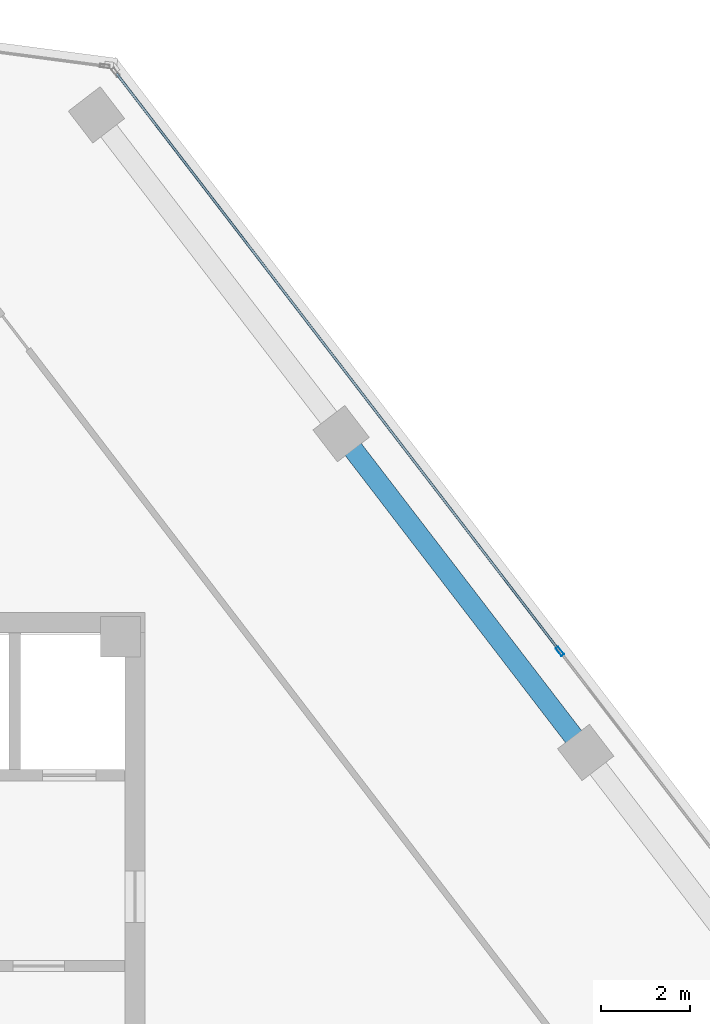
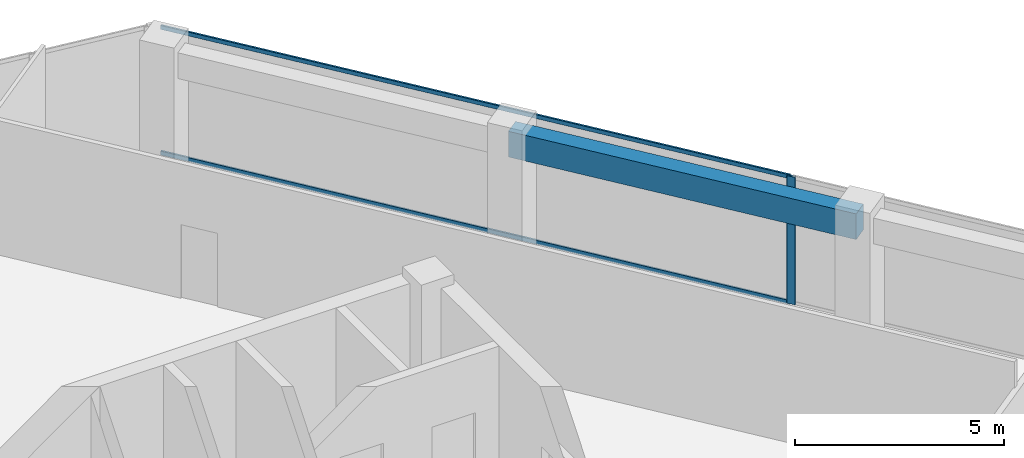
# One storey, part 11 of 17: 3 members, 1 beam, 1 element without a shape of its own.
"""IFC4 building model written with IfcOpenShell, lengths in metres."""

from ifc_helpers import new_model, si_unit, direction, frame, origin, origin_2d, place, context, subcontext, project, spatial, rectangle, hollow_rectangle, extrude, source, transform, mapped, material, material_profile, profile_set, type_object, element, aggregate, save


model = new_model("IFC4")

# Units and contexts
model_context = context("Model", 3, precision=1e-05, world=origin(), true_north=direction((0.0, 1.0)))
body_context = subcontext(model_context, "Body", "Model", "MODEL_VIEW")
ifc_project = project(units=[si_unit("LENGTHUNIT", "METRE"), si_unit("AREAUNIT", "SQUARE_METRE"), si_unit("VOLUMEUNIT", "CUBIC_METRE"), si_unit("PLANEANGLEUNIT", "RADIAN"), si_unit("MASSUNIT", "GRAM", prefix="KILO")], contexts=[model_context])

# Site, building, storey
site_placement = place(None, origin())
site = spatial("IfcSite", under=ifc_project, at=site_placement, CompositionType="ELEMENT")
building_placement = place(site_placement, origin())
building = spatial("IfcBuilding", under=site, at=building_placement, Name="Torre Montelarca", CompositionType="ELEMENT")
storey_placement = place(building_placement, frame((0.0, 0.0, 283.60009765625)))
storey = spatial("IfcBuildingStorey", under=building, at=storey_placement, Name="L64", CompositionType="ELEMENT", Elevation=283.60009765625)

# Beam
ifc_material_1 = material(Name="Concrete C55/67", Category="concrete")
ifc_material_profile_1 = material_profile(ifc_material_1, rectangle(XDim=0.449951171875, YDim=0.75, at=origin_2d()), Name="RCB450X750", Category="concrete")
ifc_profile_set_1 = profile_set([ifc_material_profile_1], Name="Concrete C55/67")
beam_type = type_object("IfcBeamType", Name="BM-SP-RC750-EXT", PredefinedType="SPANDREL", material=ifc_profile_set_1)
shared_shape_1 = source(origin(), body_context, "Body", "SweptSolid", [
    extrude(rectangle(XDim=0.449951171875, YDim=0.75, at=origin_2d()), origin(), (0.0, 0.0, 1.0), 9.0),
])
beam_placement = place(storey_placement, frame((31.388671875, 43.99951171875, 3.544921875), z_axis=(0.608757244327, -0.793356551293, 0.0), x_axis=(0.793356551293, 0.608757244327, 0.0)))
element("IfcBeam", 1, at=beam_placement, inside=storey, type_object=beam_type, Name="L64 Grid Girder X 18.0-27.0 at Y=47.1", PredefinedType="SPANDREL", context=body_context, shape_type="MappedRepresentation", body=[
    mapped(shared_shape_1, transform((0.0, 0.0, 0.0), scale=1.0)),
])

# Curtain wall, members
ifc_material_2 = material(Name="Insulated low-E laminated glass", Category="glass")
curtain_wall_type = type_object("IfcCurtainWallType", Name="CW-SYS-Z3", PredefinedType="USERDEFINED", material=ifc_material_2)
curtain_wall_placement = place(storey_placement, origin())
curtain_wall = element("IfcCurtainWall", 2, at=curtain_wall_placement, inside=storey, type_object=curtain_wall_type, Name="L64 Curtain Wall Run CW-T3-L64-E08-B1", ObjectType="UNITISED GLAZING", PredefinedType="USERDEFINED")
ifc_material_3 = material(Name="Anodised aluminium AA 6063-T6", Category="aluminium")
ifc_material_profile_2 = material_profile(ifc_material_3, hollow_rectangle(XDim=0.074951171875, YDim=0.219970703125, WallThickness=0.0048828125, InnerFilletRadius=0.0048828125, OuterFilletRadius=0.010009765625, at=origin_2d()), Name="ALU75X220X5", Category="aluminium")
ifc_profile_set_2 = profile_set([ifc_material_profile_2], Name="Anodised aluminium AA 6063-T6")
member_type_1 = type_object("IfcMemberType", Name="CWM-ALU220", PredefinedType="MULLION", material=ifc_profile_set_2)
shared_shape_2 = source(origin(), body_context, "Body", "SweptSolid", [
    extrude(hollow_rectangle(XDim=0.074951171875, YDim=0.219970703125, WallThickness=0.0048828125, InnerFilletRadius=0.0048828125, OuterFilletRadius=0.010009765625, at=origin_2d()), origin(), (0.0, 0.0, 1.0), 3.719970703125),
])
member_1_placement = place(storey_placement, frame((36.28857421875, 39.125, 0.0), z_axis=(0.0, 0.0, 1.0), x_axis=(-0.793353678896, -0.60876098773, 0.0)))
member_1 = element("IfcMember", 3, at=member_1_placement, type_object=member_type_1, Name="CW mullion 2", PredefinedType="MULLION", context=body_context, shape_type="MappedRepresentation", body=[
    mapped(shared_shape_2, transform((0.0, 0.0, 0.0), scale=1.0)),
])
ifc_material_profile_3 = material_profile(ifc_material_3, hollow_rectangle(XDim=0.054931640625, YDim=0.1201171875, WallThickness=0.00341796875, InnerFilletRadius=0.00341796875, OuterFilletRadius=0.007080078125, at=origin_2d()), Name="ALU55X120X3.5", Category="aluminium")
ifc_profile_set_3 = profile_set([ifc_material_profile_3], Name="Anodised aluminium AA 6063-T6")
member_type_2 = type_object("IfcMemberType", Name="CWT-ALU120", PredefinedType="USERDEFINED", material=ifc_profile_set_3)
shared_shape_3 = source(origin(), body_context, "Body", "SweptSolid", [
    extrude(hollow_rectangle(XDim=0.054931640625, YDim=0.1201171875, WallThickness=0.00341796875, InnerFilletRadius=0.00341796875, OuterFilletRadius=0.007080078125, at=origin_2d()), origin(), (0.0, 0.0, 1.0), 16.271728515625),
])
member_2_placement = place(storey_placement, frame((36.265625, 39.15478515625, 0.02734375), z_axis=(-0.608759711988, 0.793354657804, 0.0), x_axis=(-0.793354657804, -0.608759711988, 0.0)))
member_2 = element("IfcMember", 4, at=member_2_placement, type_object=member_type_2, Name="CW transom 2.1", ObjectType="TRANSOM", PredefinedType="USERDEFINED", context=body_context, shape_type="MappedRepresentation", body=[
    mapped(shared_shape_3, transform((0.0, 0.0, 0.0), scale=1.0)),
])
member_3_placement = place(storey_placement, frame((36.265625, 39.15478515625, 3.6923828125), z_axis=(-0.608759711988, 0.793354657804, 0.0), x_axis=(-0.793354657804, -0.608759711988, 0.0)))
member_3 = element("IfcMember", 5, at=member_3_placement, type_object=member_type_2, Name="CW transom 2.2", ObjectType="TRANSOM", PredefinedType="USERDEFINED", context=body_context, shape_type="MappedRepresentation", body=[
    mapped(shared_shape_3, transform((0.0, 0.0, 0.0), scale=1.0)),
])
aggregate(curtain_wall, [member_1, member_2, member_3])

save(model, "model.ifc")
